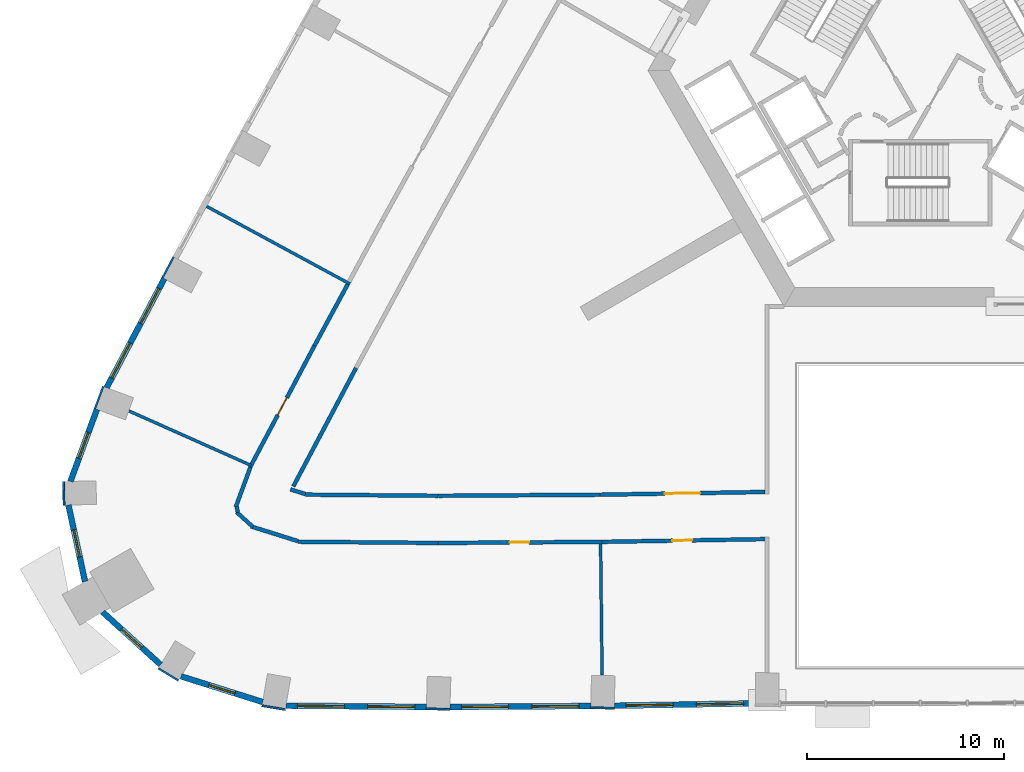
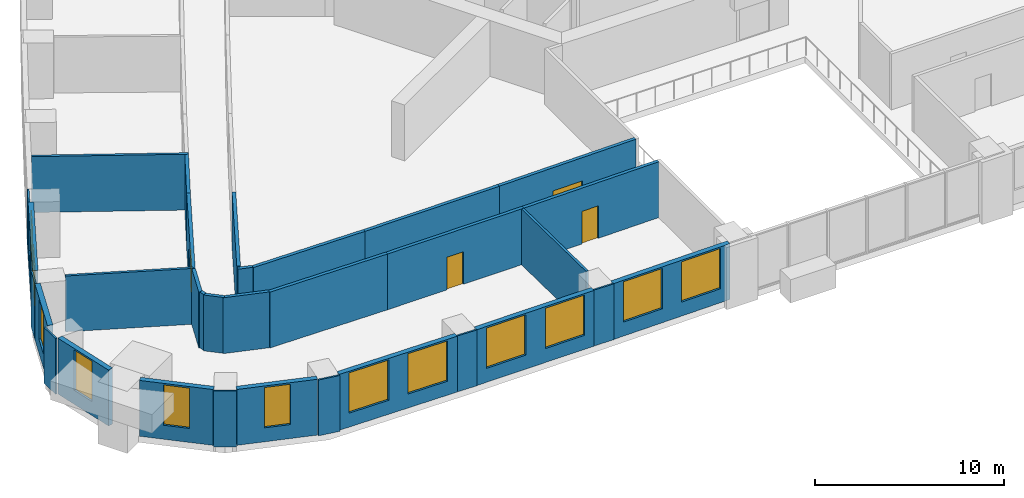
# One storey, part 4 of 15: 32 walls, 12 windows, 4 doors, 16 openings.
"""IFC4 building model written with IfcOpenShell, lengths in metres."""

from ifc_helpers import new_model, si_unit, direction, frame, frame_2d, origin, place, context, subcontext, project, spatial, rectangle, extrude, material, layer, layer_set, type_object, element, fill, save


model = new_model("IFC4")

# Units and contexts
model_context = context("Model", 3, precision=1e-05, world=origin(), true_north=direction((0.0, 1.0)))
body_context = subcontext(model_context, "Body", "Model", "MODEL_VIEW")
ifc_project = project(units=[si_unit("LENGTHUNIT", "METRE"), si_unit("AREAUNIT", "SQUARE_METRE"), si_unit("VOLUMEUNIT", "CUBIC_METRE"), si_unit("PLANEANGLEUNIT", "RADIAN"), si_unit("MASSUNIT", "GRAM", prefix="KILO")], contexts=[model_context])

# Site, building, storey
site_placement = place(None, origin())
site = spatial("IfcSite", under=ifc_project, at=site_placement, CompositionType="ELEMENT")
building_placement = place(site_placement, origin())
building = spatial("IfcBuilding", under=site, at=building_placement, Name="Entoto Arch Interchange Tower", CompositionType="ELEMENT")
storey_placement = place(building_placement, frame((0.0, 0.0, 77.0)))
storey = spatial("IfcBuildingStorey", under=building, at=storey_placement, Name="L16", CompositionType="ELEMENT", Elevation=77.0)

# Walls
ifc_material_1 = material(Name="Gypsum board partition on steel studs", Category="steel")
ifc_layer_1 = layer(ifc_material_1, 0.14990234375)
ifc_layer_set_1 = layer_set([ifc_layer_1], Name="Gypsum board partition on steel studs")
wall_type_1 = type_object("IfcWallType", Name="PARTITION 150", PredefinedType="PARTITIONING", material=ifc_layer_set_1)
wall_1_placement = place(storey_placement, frame((-29.013916015625, -8.364990234375, 0.0), z_axis=(0.0, 0.0, 1.0), x_axis=(-0.879354069803, 0.476168478504, 0.0)))
element("IfcWall", 1, at=wall_1_placement, inside=storey, type_object=wall_type_1, Name="wall:L16:p147", PredefinedType="PARTITIONING", context=body_context, shape_type="SweptSolid", body=[
    extrude(rectangle(XDim=8.29931640625, YDim=0.14990234375, at=frame_2d((4.149658203125, 0.0))), origin(), (0.0, 0.0, 1.0), 3.60009765625),
])
wall_2_placement = place(storey_placement, frame((-34.052978515625, -17.594970703125, 0.0), z_axis=(0.0, 0.0, 1.0), x_axis=(-0.913298274621, 0.40729137184, 0.0)))
element("IfcWall", 2, at=wall_2_placement, inside=storey, type_object=wall_type_1, Name="wall:L16:p148", PredefinedType="PARTITIONING", context=body_context, shape_type="SweptSolid", body=[
    extrude(rectangle(XDim=6.79638671875, YDim=0.14990234375, at=frame_2d((3.398193359375, 0.0))), origin(), (0.0, 0.0, 1.0), 3.60009765625),
])
wall_3_placement = place(storey_placement, frame((-16.26806640625, -21.5869140625, 0.0), z_axis=(0.0, 0.0, 1.0), x_axis=(0.0116959614, -0.999931599904, 0.0)))
element("IfcWall", 3, at=wall_3_placement, inside=storey, type_object=wall_type_1, Name="wall:L16:p149", PredefinedType="PARTITIONING", context=body_context, shape_type="SweptSolid", body=[
    extrude(rectangle(XDim=6.6796875, YDim=0.14990234375, at=frame_2d((3.33984375, 0.0))), origin(), (0.0, 0.0, 1.0), 3.60009765625),
])
ifc_layer_2 = layer(ifc_material_1, 0.199951171875)
ifc_layer_set_2 = layer_set([ifc_layer_2], Name="Gypsum board partition on steel studs")
wall_type_2 = type_object("IfcWallType", Name="PARTITION 200", PredefinedType="PARTITIONING", material=ifc_layer_set_2)
wall_4_placement = place(storey_placement, frame((-28.7119140625, -12.637939453125, 0.0), z_axis=(0.0, 0.0, 1.0), x_axis=(-0.46804565502, -0.883704285843, 0.0)))
element("IfcWall", 4, at=wall_4_placement, inside=storey, type_object=wall_type_2, Name="wall:L16:p033", PredefinedType="PARTITIONING", context=body_context, shape_type="SweptSolid", body=[
    extrude(rectangle(XDim=6.818115234375, YDim=0.199951171875, at=frame_2d((3.4091796875, 0.0))), origin(), (0.0, 0.0, 1.0), 3.60009765625),
])
wall_5_placement = place(storey_placement, frame((-32.050048828125, -18.81298828125, 0.0), z_axis=(0.0, 0.0, 1.0), x_axis=(0.953816959026, -0.300388429661, 0.0)))
element("IfcWall", 5, at=wall_5_placement, inside=storey, type_object=wall_type_2, Name="wall:L16:p034", PredefinedType="PARTITIONING", context=body_context, shape_type="SweptSolid", body=[
    extrude(rectangle(XDim=0.80224609375, YDim=0.199951171875, at=frame_2d((0.401123046875, 0.0))), origin(), (0.0, 0.0, 1.0), 3.60009765625),
])
wall_6_placement = place(storey_placement, frame((-31.2890625, -19.0830078125, 0.0), z_axis=(0.0, 0.0, 1.0), x_axis=(0.999961820006, -0.00873833678, 0.0)))
element("IfcWall", 6, at=wall_6_placement, inside=storey, type_object=wall_type_2, Name="wall:L16:p035", PredefinedType="PARTITIONING", context=body_context, shape_type="SweptSolid", body=[
    extrude(rectangle(XDim=6.76123046875, YDim=0.199951171875, at=frame_2d((3.380615234375, 0.0))), origin(), (0.0, 0.0, 1.0), 3.60009765625),
])
wall_7_placement = place(storey_placement, frame((-24.528076171875, -19.14208984375, 0.0), z_axis=(0.0, 0.0, 1.0), x_axis=(0.999978315754, 0.00658544011, 0.0)))
element("IfcWall", 7, at=wall_7_placement, inside=storey, type_object=wall_type_2, Name="wall:L16:p036", PredefinedType="PARTITIONING", context=body_context, shape_type="SweptSolid", body=[
    extrude(rectangle(XDim=8.230224609375, YDim=0.199951171875, at=frame_2d((4.115234375, 0.0))), origin(), (0.0, 0.0, 1.0), 3.60009765625),
])

# Wall, opening, door
wall_8_placement = place(storey_placement, frame((-16.298095703125, -19.087890625, 0.0), z_axis=(0.0, 0.0, 1.0), x_axis=(0.999857252997, 0.016895964865, 0.0)))
wall_8 = element("IfcWall", 8, at=wall_8_placement, inside=storey, type_object=wall_type_2, Name="wall:L16:p037", PredefinedType="PARTITIONING", context=body_context, shape_type="SweptSolid", body=[
    extrude(rectangle(XDim=8.395263671875, YDim=0.199951171875, at=frame_2d((4.19775390625, 0.0))), origin(), (0.0, 0.0, 1.0), 3.60009765625),
])
opening_1_placement = place(wall_8_placement, frame((3.298095703125, 0.0, 0.0)))
opening_1 = element("IfcOpeningElement", 9, at=opening_1_placement, cuts=wall_8, Name="Opening L16-D29", PredefinedType="OPENING", context=body_context, shape_type="SweptSolid", body=[
    extrude(rectangle(XDim=1.800048828125, YDim=2.10009765625, at=frame_2d((0.89990234375, 1.050048828125))), frame((0.0, 0.10986328125, 0.0), z_axis=(0.0, -1.0, 0.0), x_axis=(1.0, 0.0, 0.0)), (0.0, 0.0, 1.0), 0.219970703125),
])
ifc_material_2 = material(Name="Timber door leaf in Steel S235 frame", Category="steel")
door_type_1 = type_object("IfcDoorType", Name="DOOR DD-18 1800x2100", OperationType="DOUBLE_DOOR_SINGLE_SWING", PredefinedType="DOOR", material=ifc_material_2)
door_1_placement = place(opening_1_placement, origin())
door_1 = element("IfcDoor", 10, at=door_1_placement, inside=storey, type_object=door_type_1, Name="door:L16:29", OperationType="DOUBLE_DOOR_SINGLE_SWING", OverallHeight=2.10009765625, OverallWidth=1.800048828125, PredefinedType="DOOR", context=body_context, shape_type="SweptSolid", body=[
    extrude(rectangle(XDim=1.800048828125, YDim=2.10009765625, at=frame_2d((0.89990234375, 1.050048828125))), frame((0.0, 0.02490234375, 0.0), z_axis=(0.0, -1.0, 0.0), x_axis=(1.0, 0.0, 0.0)), (0.0, 0.0, 1.0), 0.050048828125),
])
fill(opening_1, door_1)

wall_9_placement = place(storey_placement, frame((-34.10009765625, -17.68310546875, 0.0), z_axis=(0.0, 0.0, 1.0), x_axis=(0.468043346631, 0.883705508456, 0.0)))
wall_9 = element("IfcWall", 11, at=wall_9_placement, inside=storey, type_object=wall_type_2, Name="wall:L16:p070", PredefinedType="PARTITIONING", context=body_context, shape_type="SweptSolid", body=[
    extrude(rectangle(XDim=6.9912109375, YDim=0.199951171875, at=frame_2d((3.49560546875, 0.0))), origin(), (0.0, 0.0, 1.0), 3.60009765625),
])
opening_2_placement = place(wall_9_placement, frame((2.99609375, 0.0, 0.0)))
opening_2 = element("IfcOpeningElement", 12, at=opening_2_placement, cuts=wall_9, Name="Opening L16-D17", PredefinedType="OPENING", context=body_context, shape_type="SweptSolid", body=[
    extrude(rectangle(XDim=1.0, YDim=2.10009765625, at=frame_2d((0.5, 1.050048828125))), frame((0.0, 0.10986328125, 0.0), z_axis=(0.0, -1.0, 0.0), x_axis=(1.0, 0.0, 0.0)), (0.0, 0.0, 1.0), 0.219970703125),
])
door_type_2 = type_object("IfcDoorType", Name="DOOR DS-10 1000x2100", OperationType="SINGLE_SWING_LEFT", PredefinedType="DOOR", material=ifc_material_2)
door_2_placement = place(opening_2_placement, origin())
door_2 = element("IfcDoor", 13, at=door_2_placement, inside=storey, type_object=door_type_2, Name="door:L16:17", OperationType="SINGLE_SWING_LEFT", OverallHeight=2.10009765625, OverallWidth=1.0, PredefinedType="DOOR", context=body_context, shape_type="SweptSolid", body=[
    extrude(rectangle(XDim=1.0, YDim=2.10009765625, at=frame_2d((0.5, 1.050048828125))), frame((0.0, 0.02490234375, 0.0), z_axis=(0.0, -1.0, 0.0), x_axis=(1.0, 0.0, 0.0)), (0.0, 0.0, 1.0), 0.050048828125),
])
fill(opening_2, door_2)

# Wall
wall_10_placement = place(storey_placement, frame((-30.827880859375, -11.5048828125, 0.0), z_axis=(0.0, 0.0, 1.0), x_axis=(0.476267641688, 0.879300365905, 0.0)))
element("IfcWall", 14, at=wall_10_placement, inside=storey, type_object=wall_type_2, Name="wall:L16:p071", PredefinedType="PARTITIONING", context=body_context, shape_type="SweptSolid", body=[
    extrude(rectangle(XDim=3.55029296875, YDim=0.199951171875, at=frame_2d((1.775146484375, 0.0))), origin(), (0.0, 0.0, 1.0), 3.60009765625),
])

# Wall, opening, door
wall_11_placement = place(storey_placement, frame((-16.195068359375, -21.487060546875, 0.0), z_axis=(0.0, 0.0, 1.0), x_axis=(-0.999978288386, -0.006589594508, 0.0)))
wall_11 = element("IfcWall", 15, at=wall_11_placement, inside=storey, type_object=wall_type_2, Name="wall:L16:p072", PredefinedType="PARTITIONING", context=body_context, shape_type="SweptSolid", body=[
    extrude(rectangle(XDim=8.336181640625, YDim=0.199951171875, at=frame_2d((4.16796875, 0.0))), origin(), (0.0, 0.0, 1.0), 3.60009765625),
])
opening_3_placement = place(wall_11_placement, frame((3.7060546875, 0.0, 0.0)))
opening_3 = element("IfcOpeningElement", 16, at=opening_3_placement, cuts=wall_11, Name="Opening L16-D18", PredefinedType="OPENING", context=body_context, shape_type="SweptSolid", body=[
    extrude(rectangle(XDim=1.0, YDim=2.10009765625, at=frame_2d((0.5, 1.050048828125))), frame((0.0, 0.10986328125, 0.0), z_axis=(0.0, -1.0, 0.0), x_axis=(1.0, 0.0, 0.0)), (0.0, 0.0, 1.0), 0.219970703125),
])
door_3_placement = place(opening_3_placement, origin())
door_3 = element("IfcDoor", 17, at=door_3_placement, inside=storey, type_object=door_type_2, Name="door:L16:18", OperationType="SINGLE_SWING_RIGHT", OverallHeight=2.10009765625, OverallWidth=1.0, PredefinedType="DOOR", context=body_context, shape_type="SweptSolid", body=[
    extrude(rectangle(XDim=1.0, YDim=2.10009765625, at=frame_2d((0.5, 1.050048828125))), frame((0.0, 0.02490234375, 0.0), z_axis=(0.0, -1.0, 0.0), x_axis=(1.0, 0.0, 0.0)), (0.0, 0.0, 1.0), 0.050048828125),
])
fill(opening_3, door_3)

# Walls
wall_12_placement = place(storey_placement, frame((-24.531005859375, -21.5419921875, 0.0), z_axis=(0.0, 0.0, 1.0), x_axis=(-0.999962254422, 0.008688482627, 0.0)))
element("IfcWall", 18, at=wall_12_placement, inside=storey, type_object=wall_type_2, Name="wall:L16:p073", PredefinedType="PARTITIONING", context=body_context, shape_type="SweptSolid", body=[
    extrude(rectangle(XDim=7.13720703125, YDim=0.199951171875, at=frame_2d((3.568603515625, 0.0))), origin(), (0.0, 0.0, 1.0), 3.60009765625),
])
wall_13_placement = place(storey_placement, frame((-31.6640625, -21.449951171875, 0.0), z_axis=(0.0, 0.0, 1.0), x_axis=(-0.953945024313, 0.299981483743, 0.0)))
element("IfcWall", 19, at=wall_13_placement, inside=storey, type_object=wall_type_2, Name="wall:L16:p074", PredefinedType="PARTITIONING", context=body_context, shape_type="SweptSolid", body=[
    extrude(rectangle(XDim=2.500244140625, YDim=0.199951171875, at=frame_2d((1.25, 0.0))), origin(), (0.0, 0.0, 1.0), 3.60009765625),
])
wall_14_placement = place(storey_placement, frame((-33.9541015625, -20.72900390625, 0.0), z_axis=(0.0, 0.0, 1.0), x_axis=(-0.740510227228, 0.672045090281, 0.0)))
element("IfcWall", 20, at=wall_14_placement, inside=storey, type_object=wall_type_2, Name="wall:L16:p075", PredefinedType="PARTITIONING", context=body_context, shape_type="SweptSolid", body=[
    extrude(rectangle(XDim=1.123291015625, YDim=0.199951171875, at=frame_2d((0.5615234375, 0.0))), origin(), (0.0, 0.0, 1.0), 3.60009765625),
])
wall_15_placement = place(storey_placement, frame((-34.72412109375, -19.987060546875, 0.0), z_axis=(0.0, 0.0, 1.0), x_axis=(-0.210230703369, 0.977651804765, 0.0)))
element("IfcWall", 21, at=wall_15_placement, inside=storey, type_object=wall_type_2, Name="wall:L16:p076", PredefinedType="PARTITIONING", context=body_context, shape_type="SweptSolid", body=[
    extrude(rectangle(XDim=0.308837890625, YDim=0.199951171875, at=frame_2d((0.154296875, 0.0))), origin(), (0.0, 0.0, 1.0), 3.60009765625),
])
wall_16_placement = place(storey_placement, frame((-34.8349609375, -19.72412109375, 0.0), z_axis=(0.0, 0.0, 1.0), x_axis=(0.34459875492, 0.938750072228, 0.0)))
element("IfcWall", 22, at=wall_16_placement, inside=storey, type_object=wall_type_2, Name="wall:L16:p077", PredefinedType="PARTITIONING", context=body_context, shape_type="SweptSolid", body=[
    extrude(rectangle(XDim=2.16796875, YDim=0.199951171875, at=frame_2d((1.083984375, 0.0))), origin(), (0.0, 0.0, 1.0), 3.60009765625),
])

# Wall, opening, door
wall_17_placement = place(storey_placement, frame((-7.881103515625, -21.345947265625, 0.0), z_axis=(0.0, 0.0, 1.0), x_axis=(-0.999857974935, -0.016853188395, 0.0)))
wall_17 = element("IfcWall", 23, at=wall_17_placement, inside=storey, type_object=wall_type_2, Name="wall:L16:p078", PredefinedType="PARTITIONING", context=body_context, shape_type="SweptSolid", body=[
    extrude(rectangle(XDim=8.315185546875, YDim=0.199951171875, at=frame_2d((4.15771484375, 0.0))), origin(), (0.0, 0.0, 1.0), 3.60009765625),
])
opening_4_placement = place(wall_17_placement, frame((3.73193359375, 0.0, 0.0)))
opening_4 = element("IfcOpeningElement", 24, at=opening_4_placement, cuts=wall_17, Name="Opening L16-D19", PredefinedType="OPENING", context=body_context, shape_type="SweptSolid", body=[
    extrude(rectangle(XDim=1.0, YDim=2.10009765625, at=frame_2d((0.5, 1.050048828125))), frame((0.0, 0.10986328125, 0.0), z_axis=(0.0, -1.0, 0.0), x_axis=(1.0, 0.0, 0.0)), (0.0, 0.0, 1.0), 0.219970703125),
])
door_4_placement = place(opening_4_placement, origin())
door_4 = element("IfcDoor", 25, at=door_4_placement, inside=storey, type_object=door_type_2, Name="door:L16:19", OperationType="SINGLE_SWING_RIGHT", OverallHeight=2.10009765625, OverallWidth=1.0, PredefinedType="DOOR", context=body_context, shape_type="SweptSolid", body=[
    extrude(rectangle(XDim=1.0, YDim=2.10009765625, at=frame_2d((0.5, 1.050048828125))), frame((0.0, 0.02490234375, 0.0), z_axis=(0.0, -1.0, 0.0), x_axis=(1.0, 0.0, 0.0)), (0.0, 0.0, 1.0), 0.050048828125),
])
fill(opening_4, door_4)

# Wall, openings, windows
ifc_material_3 = material(Name="Welded tuff (ignimbrite) cladding, warm buff", Category="masonry")
ifc_layer_3 = layer(ifc_material_3, 0.300048828125)
ifc_layer_set_3 = layer_set([ifc_layer_3], Name="Welded tuff (ignimbrite) cladding, warm buff")
wall_type_3 = type_object("IfcWallType", Name="STONE INFILL WALL 300", PredefinedType="STANDARD", material=ifc_layer_set_3)
wall_18_placement = place(storey_placement, frame((-32.279052734375, -29.824951171875, 0.0), z_axis=(0.0, 0.0, 1.0), x_axis=(0.999962339493, -0.008678686333, 0.0)))
wall_18 = element("IfcWall", 26, at=wall_18_placement, inside=storey, type_object=wall_type_3, Name="Facade wall S-01 L16", PredefinedType="STANDARD", context=body_context, shape_type="SweptSolid", body=[
    extrude(rectangle(XDim=7.145263671875, YDim=0.300048828125, at=frame_2d((3.57275390625, 0.0))), origin(), (0.0, 0.0, 1.0), 3.60009765625),
])
opening_5_placement = place(wall_18_placement, frame((0.5859375, 0.0, 0.89990234375)))
opening_5 = element("IfcOpeningElement", 27, at=opening_5_placement, cuts=wall_18, Name="Opening WO-A", PredefinedType="OPENING", context=body_context, shape_type="SweptSolid", body=[
    extrude(rectangle(XDim=2.39990234375, YDim=2.60009765625, at=frame_2d((1.199951171875, 1.300048828125))), frame((0.0, 0.16015625, 0.0), z_axis=(0.0, -1.0, 0.0), x_axis=(1.0, 0.0, 0.0)), (0.0, 0.0, 1.0), 0.320068359375),
])
opening_6_placement = place(wall_18_placement, frame((4.158935546875, 0.0, 0.89990234375)))
opening_6 = element("IfcOpeningElement", 28, at=opening_6_placement, cuts=wall_18, Name="Opening WO-A", PredefinedType="OPENING", context=body_context, shape_type="SweptSolid", body=[
    extrude(rectangle(XDim=2.39990234375, YDim=2.60009765625, at=frame_2d((1.199951171875, 1.300048828125))), frame((0.0, 0.16015625, 0.0), z_axis=(0.0, -1.0, 0.0), x_axis=(1.0, 0.0, 0.0)), (0.0, 0.0, 1.0), 0.320068359375),
])
ifc_material_4 = material(Name="Clear glass, low-e double glazed", Category="glass")
window_type_1 = type_object("IfcWindowType", Name="WINDOW WO-A 2400x2600", PartitioningType="DOUBLE_PANEL_VERTICAL", PredefinedType="WINDOW", material=ifc_material_4)
window_1_placement = place(opening_5_placement, origin())
window_1 = element("IfcWindow", 29, at=window_1_placement, inside=storey, type_object=window_type_1, Name="Window WO-A S-01 L16", OverallHeight=2.60009765625, OverallWidth=2.39990234375, PartitioningType="SINGLE_PANEL", PredefinedType="WINDOW", context=body_context, shape_type="SweptSolid", body=[
    extrude(rectangle(XDim=2.39990234375, YDim=2.60009765625, at=frame_2d((1.199951171875, 1.300048828125))), frame((0.0, 0.030029296875, 0.0), z_axis=(0.0, -1.0, 0.0), x_axis=(1.0, 0.0, 0.0)), (0.0, 0.0, 1.0), 0.06005859375),
])
fill(opening_5, window_1)
window_2_placement = place(opening_6_placement, origin())
window_2 = element("IfcWindow", 30, at=window_2_placement, inside=storey, type_object=window_type_1, Name="Window WO-A S-01 L16", OverallHeight=2.60009765625, OverallWidth=2.39990234375, PartitioningType="SINGLE_PANEL", PredefinedType="WINDOW", context=body_context, shape_type="SweptSolid", body=[
    extrude(rectangle(XDim=2.39990234375, YDim=2.60009765625, at=frame_2d((1.199951171875, 1.300048828125))), frame((0.0, 0.030029296875, 0.0), z_axis=(0.0, -1.0, 0.0), x_axis=(1.0, 0.0, 0.0)), (0.0, 0.0, 1.0), 0.06005859375),
])
fill(opening_6, window_2)

wall_19_placement = place(storey_placement, frame((-23.93505859375, -29.887939453125, 0.0), z_axis=(0.0, 0.0, 1.0), x_axis=(0.999978623918, 0.006538478947, 0.0)))
wall_19 = element("IfcWall", 31, at=wall_19_placement, inside=storey, type_object=wall_type_3, Name="Facade wall S-02 L16", PredefinedType="STANDARD", context=body_context, shape_type="SweptSolid", body=[
    extrude(rectangle(XDim=7.169189453125, YDim=0.300048828125, at=frame_2d((3.58447265625, 0.0))), origin(), (0.0, 0.0, 1.0), 3.60009765625),
])
opening_7_placement = place(wall_19_placement, frame((0.592041015625, 0.0, 0.89990234375)))
opening_7 = element("IfcOpeningElement", 32, at=opening_7_placement, cuts=wall_19, Name="Opening WO-A", PredefinedType="OPENING", context=body_context, shape_type="SweptSolid", body=[
    extrude(rectangle(XDim=2.39990234375, YDim=2.60009765625, at=frame_2d((1.199951171875, 1.300048828125))), frame((0.0, 0.16015625, 0.0), z_axis=(0.0, -1.0, 0.0), x_axis=(1.0, 0.0, 0.0)), (0.0, 0.0, 1.0), 0.320068359375),
])
opening_8_placement = place(wall_19_placement, frame((4.177001953125, 0.0, 0.89990234375)))
opening_8 = element("IfcOpeningElement", 33, at=opening_8_placement, cuts=wall_19, Name="Opening WO-A", PredefinedType="OPENING", context=body_context, shape_type="SweptSolid", body=[
    extrude(rectangle(XDim=2.39990234375, YDim=2.60009765625, at=frame_2d((1.199951171875, 1.300048828125))), frame((0.0, 0.16015625, 0.0), z_axis=(0.0, -1.0, 0.0), x_axis=(1.0, 0.0, 0.0)), (0.0, 0.0, 1.0), 0.320068359375),
])
window_3_placement = place(opening_7_placement, origin())
window_3 = element("IfcWindow", 34, at=window_3_placement, inside=storey, type_object=window_type_1, Name="Window WO-A S-02 L16", OverallHeight=2.60009765625, OverallWidth=2.39990234375, PartitioningType="SINGLE_PANEL", PredefinedType="WINDOW", context=body_context, shape_type="SweptSolid", body=[
    extrude(rectangle(XDim=2.39990234375, YDim=2.60009765625, at=frame_2d((1.199951171875, 1.300048828125))), frame((0.0, 0.030029296875, 0.0), z_axis=(0.0, -1.0, 0.0), x_axis=(1.0, 0.0, 0.0)), (0.0, 0.0, 1.0), 0.06005859375),
])
fill(opening_7, window_3)
window_4_placement = place(opening_8_placement, origin())
window_4 = element("IfcWindow", 35, at=window_4_placement, inside=storey, type_object=window_type_1, Name="Window WO-A S-02 L16", OverallHeight=2.60009765625, OverallWidth=2.39990234375, PartitioningType="SINGLE_PANEL", PredefinedType="WINDOW", context=body_context, shape_type="SweptSolid", body=[
    extrude(rectangle(XDim=2.39990234375, YDim=2.60009765625, at=frame_2d((1.199951171875, 1.300048828125))), frame((0.0, 0.030029296875, 0.0), z_axis=(0.0, -1.0, 0.0), x_axis=(1.0, 0.0, 0.0)), (0.0, 0.0, 1.0), 0.06005859375),
])
fill(opening_8, window_4)

wall_20_placement = place(storey_placement, frame((-15.56689453125, -29.826904296875, 0.0), z_axis=(0.0, 0.0, 1.0), x_axis=(0.999857944706, 0.0168549817, 0.0)))
wall_20 = element("IfcWall", 36, at=wall_20_placement, inside=storey, type_object=wall_type_3, Name="Facade wall S-03 L16", PredefinedType="STANDARD", context=body_context, shape_type="SweptSolid", body=[
    extrude(rectangle(XDim=7.169921875, YDim=0.300048828125, at=frame_2d((3.5849609375, 0.0))), origin(), (0.0, 0.0, 1.0), 3.60009765625),
])
opening_9_placement = place(wall_20_placement, frame((0.593017578125, 0.0, 0.89990234375)))
opening_9 = element("IfcOpeningElement", 37, at=opening_9_placement, cuts=wall_20, Name="Opening WO-A", PredefinedType="OPENING", context=body_context, shape_type="SweptSolid", body=[
    extrude(rectangle(XDim=2.39990234375, YDim=2.60009765625, at=frame_2d((1.199951171875, 1.300048828125))), frame((0.0, 0.16015625, 0.0), z_axis=(0.0, -1.0, 0.0), x_axis=(1.0, 0.0, 0.0)), (0.0, 0.0, 1.0), 0.320068359375),
])
opening_10_placement = place(wall_20_placement, frame((4.177978515625, 0.0, 0.89990234375)))
opening_10 = element("IfcOpeningElement", 38, at=opening_10_placement, cuts=wall_20, Name="Opening WO-A", PredefinedType="OPENING", context=body_context, shape_type="SweptSolid", body=[
    extrude(rectangle(XDim=2.39990234375, YDim=2.60009765625, at=frame_2d((1.199951171875, 1.300048828125))), frame((0.0, 0.16015625, 0.0), z_axis=(0.0, -1.0, 0.0), x_axis=(1.0, 0.0, 0.0)), (0.0, 0.0, 1.0), 0.320068359375),
])
window_5_placement = place(opening_9_placement, origin())
window_5 = element("IfcWindow", 39, at=window_5_placement, inside=storey, type_object=window_type_1, Name="Window WO-A S-03 L16", OverallHeight=2.60009765625, OverallWidth=2.39990234375, PartitioningType="SINGLE_PANEL", PredefinedType="WINDOW", context=body_context, shape_type="SweptSolid", body=[
    extrude(rectangle(XDim=2.39990234375, YDim=2.60009765625, at=frame_2d((1.199951171875, 1.300048828125))), frame((0.0, 0.030029296875, 0.0), z_axis=(0.0, -1.0, 0.0), x_axis=(1.0, 0.0, 0.0)), (0.0, 0.0, 1.0), 0.06005859375),
])
fill(opening_9, window_5)
window_6_placement = place(opening_10_placement, origin())
window_6 = element("IfcWindow", 40, at=window_6_placement, inside=storey, type_object=window_type_1, Name="Window WO-A S-03 L16", OverallHeight=2.60009765625, OverallWidth=2.39990234375, PartitioningType="SINGLE_PANEL", PredefinedType="WINDOW", context=body_context, shape_type="SweptSolid", body=[
    extrude(rectangle(XDim=2.39990234375, YDim=2.60009765625, at=frame_2d((1.199951171875, 1.300048828125))), frame((0.0, 0.030029296875, 0.0), z_axis=(0.0, -1.0, 0.0), x_axis=(1.0, 0.0, 0.0)), (0.0, 0.0, 1.0), 0.06005859375),
])
fill(opening_10, window_6)

wall_21_placement = place(storey_placement, frame((-38.468994140625, -8.092041015625, 0.0), z_axis=(0.0, 0.0, 1.0), x_axis=(-0.467968066899, -0.883745375299, 0.0)))
wall_21 = element("IfcWall", 41, at=wall_21_placement, inside=storey, type_object=wall_type_3, Name="Facade wall NW-09 L16", PredefinedType="STANDARD", context=body_context, shape_type="SweptSolid", body=[
    extrude(rectangle(XDim=6.282470703125, YDim=0.300048828125, at=frame_2d((3.14111328125, 0.0))), origin(), (0.0, 0.0, 1.0), 3.60009765625),
])
opening_11_placement = place(wall_21_placement, frame((0.571044921875, 0.0, 0.89990234375)))
opening_11 = element("IfcOpeningElement", 42, at=opening_11_placement, cuts=wall_21, Name="Opening WO-C", PredefinedType="OPENING", context=body_context, shape_type="SweptSolid", body=[
    extrude(rectangle(XDim=2.0, YDim=2.60009765625, at=frame_2d((1.0, 1.300048828125))), frame((0.0, 0.16015625, 0.0), z_axis=(0.0, -1.0, 0.0), x_axis=(1.0, 0.0, 0.0)), (0.0, 0.0, 1.0), 0.320068359375),
])
opening_12_placement = place(wall_21_placement, frame((3.7119140625, 0.0, 0.89990234375)))
opening_12 = element("IfcOpeningElement", 43, at=opening_12_placement, cuts=wall_21, Name="Opening WO-C", PredefinedType="OPENING", context=body_context, shape_type="SweptSolid", body=[
    extrude(rectangle(XDim=2.0, YDim=2.60009765625, at=frame_2d((1.0, 1.300048828125))), frame((0.0, 0.16015625, 0.0), z_axis=(0.0, -1.0, 0.0), x_axis=(1.0, 0.0, 0.0)), (0.0, 0.0, 1.0), 0.320068359375),
])
window_type_2 = type_object("IfcWindowType", Name="WINDOW WO-C 2000x2600", PartitioningType="DOUBLE_PANEL_VERTICAL", PredefinedType="WINDOW", material=ifc_material_4)
window_7_placement = place(opening_11_placement, origin())
window_7 = element("IfcWindow", 44, at=window_7_placement, inside=storey, type_object=window_type_2, Name="Window WO-C NW-09 L16", OverallHeight=2.60009765625, OverallWidth=2.0, PartitioningType="SINGLE_PANEL", PredefinedType="WINDOW", context=body_context, shape_type="SweptSolid", body=[
    extrude(rectangle(XDim=2.0, YDim=2.60009765625, at=frame_2d((1.0, 1.300048828125))), frame((0.0, 0.030029296875, 0.0), z_axis=(0.0, -1.0, 0.0), x_axis=(1.0, 0.0, 0.0)), (0.0, 0.0, 1.0), 0.06005859375),
])
fill(opening_11, window_7)
window_8_placement = place(opening_12_placement, origin())
window_8 = element("IfcWindow", 45, at=window_8_placement, inside=storey, type_object=window_type_2, Name="Window WO-C NW-09 L16", OverallHeight=2.60009765625, OverallWidth=2.0, PartitioningType="SINGLE_PANEL", PredefinedType="WINDOW", context=body_context, shape_type="SweptSolid", body=[
    extrude(rectangle(XDim=2.0, YDim=2.60009765625, at=frame_2d((1.0, 1.300048828125))), frame((0.0, 0.030029296875, 0.0), z_axis=(0.0, -1.0, 0.0), x_axis=(1.0, 0.0, 0.0)), (0.0, 0.0, 1.0), 0.06005859375),
])
fill(opening_12, window_8)

# Wall, opening, window
wall_22_placement = place(storey_placement, frame((-41.89990234375, -14.739990234375, 0.0), z_axis=(0.0, 0.0, 1.0), x_axis=(-0.344819708397, -0.938668934556, 0.0)))
wall_22 = element("IfcWall", 46, at=wall_22_placement, inside=storey, type_object=wall_type_3, Name="Facade wall SW-01 L16", PredefinedType="STANDARD", context=body_context, shape_type="SweptSolid", body=[
    extrude(rectangle(XDim=3.90966796875, YDim=0.300048828125, at=frame_2d((1.954833984375, 0.0))), origin(), (0.0, 0.0, 1.0), 3.60009765625),
])
opening_13_placement = place(wall_22_placement, frame((1.2548828125, 0.0, 0.89990234375)))
opening_13 = element("IfcOpeningElement", 47, at=opening_13_placement, cuts=wall_22, Name="Opening WO-B", PredefinedType="OPENING", context=body_context, shape_type="SweptSolid", body=[
    extrude(rectangle(XDim=1.39990234375, YDim=2.60009765625, at=frame_2d((0.699951171875, 1.300048828125))), frame((0.0, 0.16015625, 0.0), z_axis=(0.0, -1.0, 0.0), x_axis=(1.0, 0.0, 0.0)), (0.0, 0.0, 1.0), 0.320068359375),
])
window_type_3 = type_object("IfcWindowType", Name="WINDOW WO-B 1400x2600", PartitioningType="DOUBLE_PANEL_VERTICAL", PredefinedType="WINDOW", material=ifc_material_4)
window_9_placement = place(opening_13_placement, origin())
window_9 = element("IfcWindow", 48, at=window_9_placement, inside=storey, type_object=window_type_3, Name="Window WO-B SW-01 L16", OverallHeight=2.60009765625, OverallWidth=1.39990234375, PartitioningType="SINGLE_PANEL", PredefinedType="WINDOW", context=body_context, shape_type="SweptSolid", body=[
    extrude(rectangle(XDim=1.39990234375, YDim=2.60009765625, at=frame_2d((0.699951171875, 1.300048828125))), frame((0.0, 0.030029296875, 0.0), z_axis=(0.0, -1.0, 0.0), x_axis=(1.0, 0.0, 0.0)), (0.0, 0.0, 1.0), 0.06005859375),
])
fill(opening_13, window_9)

wall_23_placement = place(storey_placement, frame((-43.34912109375, -19.611083984375, 0.0), z_axis=(0.0, 0.0, 1.0), x_axis=(0.211701618364, -0.977334346466, 0.0)))
wall_23 = element("IfcWall", 49, at=wall_23_placement, inside=storey, type_object=wall_type_3, Name="Facade wall SW-02 L16", PredefinedType="STANDARD", context=body_context, shape_type="SweptSolid", body=[
    extrude(rectangle(XDim=3.982177734375, YDim=0.300048828125, at=frame_2d((1.9912109375, 0.0))), origin(), (0.0, 0.0, 1.0), 3.60009765625),
])
opening_14_placement = place(wall_23_placement, frame((1.291015625, 0.0, 0.89990234375)))
opening_14 = element("IfcOpeningElement", 50, at=opening_14_placement, cuts=wall_23, Name="Opening WO-B", PredefinedType="OPENING", context=body_context, shape_type="SweptSolid", body=[
    extrude(rectangle(XDim=1.39990234375, YDim=2.60009765625, at=frame_2d((0.699951171875, 1.300048828125))), frame((0.0, 0.16015625, 0.0), z_axis=(0.0, -1.0, 0.0), x_axis=(1.0, 0.0, 0.0)), (0.0, 0.0, 1.0), 0.320068359375),
])
window_10_placement = place(opening_14_placement, origin())
window_10 = element("IfcWindow", 51, at=window_10_placement, inside=storey, type_object=window_type_3, Name="Window WO-B SW-02 L16", OverallHeight=2.60009765625, OverallWidth=1.39990234375, PartitioningType="SINGLE_PANEL", PredefinedType="WINDOW", context=body_context, shape_type="SweptSolid", body=[
    extrude(rectangle(XDim=1.39990234375, YDim=2.60009765625, at=frame_2d((0.699951171875, 1.300048828125))), frame((0.0, 0.030029296875, 0.0), z_axis=(0.0, -1.0, 0.0), x_axis=(1.0, 0.0, 0.0)), (0.0, 0.0, 1.0), 0.06005859375),
])
fill(opening_14, window_10)

wall_24_placement = place(storey_placement, frame((-41.60595703125, -25.06005859375, 0.0), z_axis=(0.0, 0.0, 1.0), x_axis=(0.740547309915, -0.6720042275, 0.0)))
wall_24 = element("IfcWall", 52, at=wall_24_placement, inside=storey, type_object=wall_type_3, Name="Facade wall SW-03 L16", PredefinedType="STANDARD", context=body_context, shape_type="SweptSolid", body=[
    extrude(rectangle(XDim=3.982177734375, YDim=0.300048828125, at=frame_2d((1.9912109375, 0.0))), origin(), (0.0, 0.0, 1.0), 3.60009765625),
])
opening_15_placement = place(wall_24_placement, frame((1.291015625, 0.0, 0.89990234375)))
opening_15 = element("IfcOpeningElement", 53, at=opening_15_placement, cuts=wall_24, Name="Opening WO-B", PredefinedType="OPENING", context=body_context, shape_type="SweptSolid", body=[
    extrude(rectangle(XDim=1.39990234375, YDim=2.60009765625, at=frame_2d((0.699951171875, 1.300048828125))), frame((0.0, 0.16015625, 0.0), z_axis=(0.0, -1.0, 0.0), x_axis=(1.0, 0.0, 0.0)), (0.0, 0.0, 1.0), 0.320068359375),
])
window_11_placement = place(opening_15_placement, origin())
window_11 = element("IfcWindow", 54, at=window_11_placement, inside=storey, type_object=window_type_3, Name="Window WO-B SW-03 L16", OverallHeight=2.60009765625, OverallWidth=1.39990234375, PartitioningType="SINGLE_PANEL", PredefinedType="WINDOW", context=body_context, shape_type="SweptSolid", body=[
    extrude(rectangle(XDim=1.39990234375, YDim=2.60009765625, at=frame_2d((0.699951171875, 1.300048828125))), frame((0.0, 0.030029296875, 0.0), z_axis=(0.0, -1.0, 0.0), x_axis=(1.0, 0.0, 0.0)), (0.0, 0.0, 1.0), 0.06005859375),
])
fill(opening_15, window_11)

wall_25_placement = place(storey_placement, frame((-37.615966796875, -28.330078125, 0.0), z_axis=(0.0, 0.0, 1.0), x_axis=(0.953822182375, -0.300371843571, 0.0)))
wall_25 = element("IfcWall", 55, at=wall_25_placement, inside=storey, type_object=wall_type_3, Name="Facade wall SW-04 L16", PredefinedType="STANDARD", context=body_context, shape_type="SweptSolid", body=[
    extrude(rectangle(XDim=4.354248046875, YDim=0.300048828125, at=frame_2d((2.17724609375, 0.0))), origin(), (0.0, 0.0, 1.0), 3.60009765625),
])
opening_16_placement = place(wall_25_placement, frame((1.47705078125, 0.0, 0.89990234375)))
opening_16 = element("IfcOpeningElement", 56, at=opening_16_placement, cuts=wall_25, Name="Opening WO-B", PredefinedType="OPENING", context=body_context, shape_type="SweptSolid", body=[
    extrude(rectangle(XDim=1.39990234375, YDim=2.60009765625, at=frame_2d((0.699951171875, 1.300048828125))), frame((0.0, 0.16015625, 0.0), z_axis=(0.0, -1.0, 0.0), x_axis=(1.0, 0.0, 0.0)), (0.0, 0.0, 1.0), 0.320068359375),
])
window_12_placement = place(opening_16_placement, origin())
window_12 = element("IfcWindow", 57, at=window_12_placement, inside=storey, type_object=window_type_3, Name="Window WO-B SW-04 L16", OverallHeight=2.60009765625, OverallWidth=1.39990234375, PartitioningType="SINGLE_PANEL", PredefinedType="WINDOW", context=body_context, shape_type="SweptSolid", body=[
    extrude(rectangle(XDim=1.39990234375, YDim=2.60009765625, at=frame_2d((0.699951171875, 1.300048828125))), frame((0.0, 0.030029296875, 0.0), z_axis=(0.0, -1.0, 0.0), x_axis=(1.0, 0.0, 0.0)), (0.0, 0.0, 1.0), 0.06005859375),
])
fill(opening_16, window_12)

# Walls
ifc_layer_4 = layer(ifc_material_3, 0.10009765625)
ifc_layer_set_4 = layer_set([ifc_layer_4], Name="Welded tuff (ignimbrite) cladding, warm buff")
wall_type_4 = type_object("IfcWallType", Name="STONE PIER CLADDING 100", PredefinedType="STANDARD", material=ifc_layer_set_4)
wall_26_placement = place(storey_placement, frame((-37.9951171875, -6.986083984375, 0.0), z_axis=(0.0, 0.0, 1.0), x_axis=(-0.469467784567, -0.882949601763, 0.0)))
element("IfcWall", 58, at=wall_26_placement, inside=storey, type_object=wall_type_4, Name="Stone pier NW09 L16", PredefinedType="STANDARD", context=body_context, shape_type="SweptSolid", body=[
    extrude(rectangle(XDim=1.19921875, YDim=0.10009765625, at=frame_2d((0.599609375, 0.0))), origin(), (0.0, 0.0, 1.0), 3.60009765625),
])
wall_27_placement = place(storey_placement, frame((-41.577880859375, -13.580078125, 0.0), z_axis=(0.0, 0.0, 1.0), x_axis=(-0.348446984414, -0.937328490473, 0.0)))
element("IfcWall", 59, at=wall_27_placement, inside=storey, type_object=wall_type_4, Name="Stone pier NW10 L16", PredefinedType="STANDARD", context=body_context, shape_type="SweptSolid", body=[
    extrude(rectangle(XDim=1.2001953125, YDim=0.10009765625, at=frame_2d((0.60009765625, 0.0))), origin(), (0.0, 0.0, 1.0), 3.60009765625),
])
for number, where, z_axis, x_axis, name in (
    (60, (-33.493896484375, -29.820068359375, 0.0), (0.0, 0.0, 1.0), (0.986011774526, -0.166675674579, 0.0), "Stone pier S01 L16"),
    (61, (-25.137939453125, -29.971923828125, 0.0), (0.0, 0.0, 1.0), (0.999442872267, -0.03337581573, 0.0), "Stone pier S02 L16"),
):
    element("IfcWall", number, at=place(storey_placement, frame(where, z_axis=z_axis, x_axis=x_axis)), inside=storey, type_object=wall_type_4, Name=name, PredefinedType="STANDARD", context=body_context, shape_type="SweptSolid", body=[
        extrude(rectangle(XDim=1.19970703125, YDim=0.10009765625, at=frame_2d((0.599853515625, 0.0))), origin(), (0.0, 0.0, 1.0), 3.60009765625),
    ])
for number, where, z_axis, x_axis, name in (
    (62, (-16.76904296875, -29.924072265625, 0.0), (0.0, 0.0, 1.0), (0.99976752127, -0.021561618973, 0.0), "Stone pier S03 L16"),
    (63, (-43.594970703125, -18.4169921875, 0.0), (0.0, 0.0, 1.0), (0.023391359968, -0.999726384707, 0.0), "Stone pier SW1 L16"),
    (64, (-38.77197265625, -27.923095703125, 0.0), (0.0, 0.0, 1.0), (0.854806852666, -0.518946282996, 0.0), "Stone pier SW3 L16"),
):
    element("IfcWall", number, at=place(storey_placement, frame(where, z_axis=z_axis, x_axis=x_axis)), inside=storey, type_object=wall_type_4, Name=name, PredefinedType="STANDARD", context=body_context, shape_type="SweptSolid", body=[
        extrude(rectangle(XDim=1.2001953125, YDim=0.10009765625, at=frame_2d((0.60009765625, 0.0))), origin(), (0.0, 0.0, 1.0), 3.60009765625),
    ])

save(model, "model.ifc")
